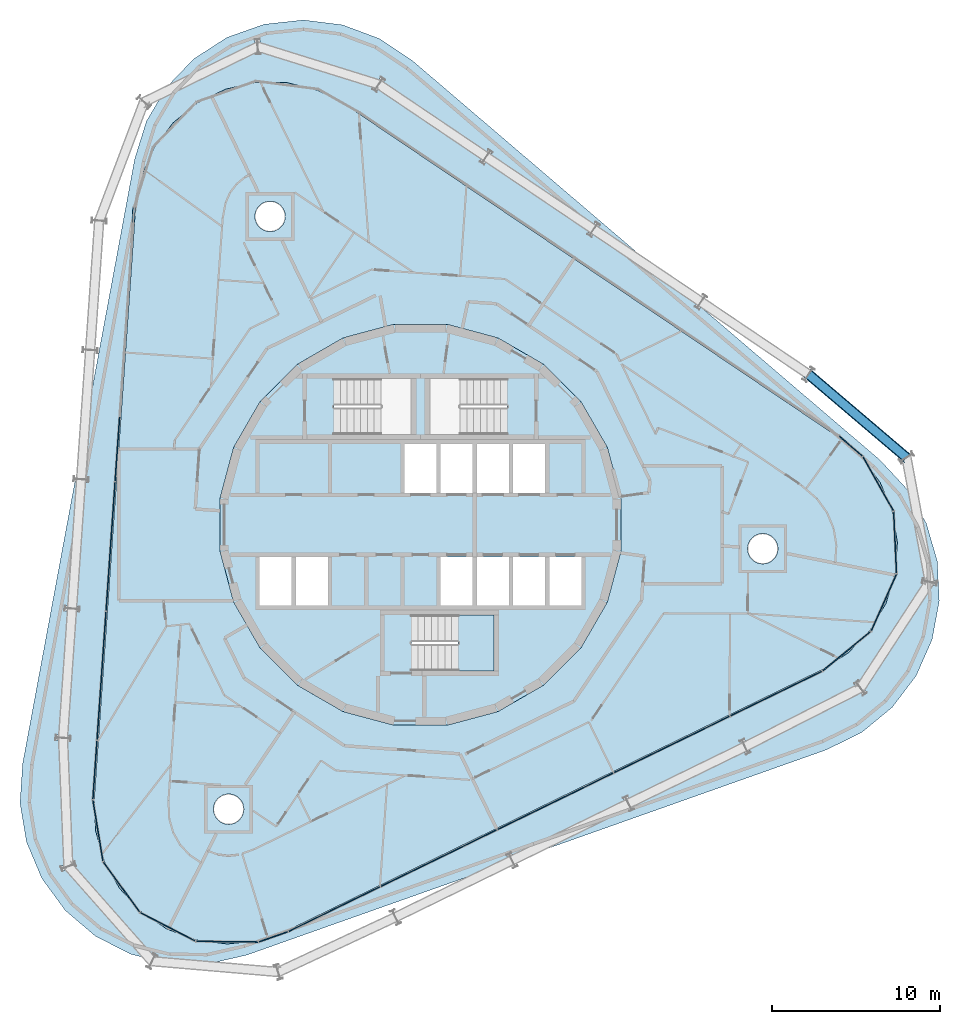
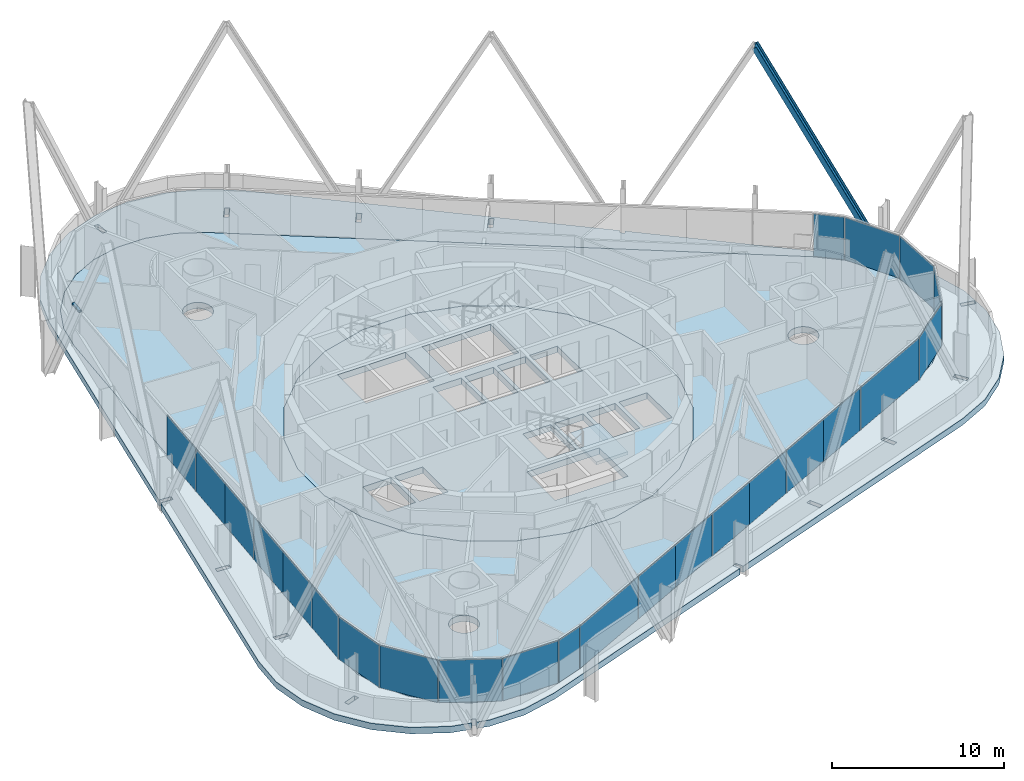
# One storey, part 10 of 18: 24 plates, 4 slabs, 2 members, 6 elements without a shape of their own.
"""IFC4 building model written with IfcOpenShell, lengths in metres."""

from ifc_helpers import new_model, si_unit, direction, frame, origin, origin_2d, place, context, subcontext, project, spatial, polyline, rectangle, i_section, outline, extrude, material, layer, layer_set, material_profile, profile_set, type_object, element, aggregate, save


model = new_model("IFC4")

# Units and contexts
model_context = context("Model", 3, precision=1e-05, world=origin(), true_north=direction((0.0, 1.0)))
body_context = subcontext(model_context, "Body", "Model", "MODEL_VIEW")
ifc_project = project(units=[si_unit("LENGTHUNIT", "METRE"), si_unit("AREAUNIT", "SQUARE_METRE"), si_unit("VOLUMEUNIT", "CUBIC_METRE"), si_unit("PLANEANGLEUNIT", "RADIAN"), si_unit("MASSUNIT", "GRAM", prefix="KILO")], contexts=[model_context])

# Site, building, storey
site_placement = place(None, origin())
site = spatial("IfcSite", under=ifc_project, at=site_placement, CompositionType="ELEMENT")
building_placement = place(site_placement, origin())
building = spatial("IfcBuilding", under=site, at=building_placement, Name="Spindle Arch Residences", CompositionType="ELEMENT")
storey_placement = place(building_placement, frame((0.0, 0.0, 188.39990234375)))
storey = spatial("IfcBuildingStorey", under=building, at=storey_placement, Name="L47", CompositionType="ELEMENT", Elevation=188.39990234375)

# Curtain wall, member
ifc_material_1 = material(Name="Aluminium bronze unitised frame with tinted glass", Category="aluminium")
ifc_layer_1 = layer(ifc_material_1, 0.159912109375)
ifc_layer_set_1 = layer_set([ifc_layer_1], Name="CW-D corner wall on the fillet arcs")
curtain_wall_type_1 = type_object("IfcCurtainWallType", Name="CW-D corner wall on the fillet arcs", PredefinedType="NOTDEFINED", material=ifc_layer_set_1)
curtain_wall_1_placement = place(storey_placement, origin())
curtain_wall_1 = element("IfcCurtainWall", 1, at=curtain_wall_1_placement, inside=storey, type_object=curtain_wall_type_1, Name="CW-D L47 run 3", PredefinedType="NOTDEFINED")
ifc_material_2 = material(Name="Aluminium bronze anodised transom", Category="aluminium")
ifc_material_profile_1 = material_profile(ifc_material_2, rectangle(XDim=0.159912109375, YDim=0.1201171875, at=origin_2d()), Name="TR 120x160")
ifc_profile_set_1 = profile_set([ifc_material_profile_1], Name="Aluminium bronze anodised transom")
member_type_1 = type_object("IfcMemberType", Name="Bronze transom 120x160", PredefinedType="USERDEFINED", material=ifc_profile_set_1)
member_1_placement = place(storey_placement, frame((-16.98828125, 18.83447265625, 3.06005859375), z_axis=(-0.069692035463, -0.997568554132, 0.0), x_axis=(0.997568554132, -0.069692035463, 0.0)))
member_1 = element("IfcMember", 2, at=member_1_placement, type_object=member_type_1, Name="CW-D transom 05", ObjectType="TRANSOM", PredefinedType="USERDEFINED", context=body_context, shape_type="SweptSolid", body=[
    extrude(rectangle(XDim=0.159912109375, YDim=0.1201171875, at=origin_2d()), origin(), (0.0, 0.0, 1.0), 0.90380859375),
])
aggregate(curtain_wall_1, [member_1])

# Member
ifc_material_3 = material(Name="Steel S460ML, intumescent coating R 240", Category="steel")
ifc_material_profile_2 = material_profile(ifc_material_3, i_section(OverallWidth=0.304931640625, OverallDepth=0.6201171875, WebThickness=0.02099609375, FlangeThickness=0.0400390625, FilletRadius=0.027099609375, at=origin_2d()), Name="HEM 600")
ifc_profile_set_2 = profile_set([ifc_material_profile_2], Name="Steel S460ML, intumescent coating R 240")
member_type_2 = type_object("IfcMemberType", Name="Diagrid diagonal HEM 600", PredefinedType="BRACE", material=ifc_profile_set_2)
member_2_placement = place(storey_placement, frame((28.84228515625, 3.9873046875, -0.699951171875), z_axis=(-0.362914976942, 0.308618087631, 0.879231252571), x_axis=(0.669793014617, -0.56958310462, 0.476395218807)))
element("IfcMember", 3, at=member_2_placement, inside=storey, type_object=member_type_2, Name="Diagrid diagonal 5.1.5", PredefinedType="BRACE", context=body_context, shape_type="SweptSolid", body=[
    extrude(i_section(OverallWidth=0.304931640625, OverallDepth=0.6201171875, WebThickness=0.02099609375, FlangeThickness=0.0400390625, FilletRadius=0.027099609375, at=origin_2d()), origin(), (0.0, 0.0, 1.0), 16.002685546875),
])

# Slabs
ifc_material_4 = material(Name="Concrete C40/50", Category="concrete")
ifc_layer_2 = layer(ifc_material_4, 0.449951171875)
ifc_layer_set_2 = layer_set([ifc_layer_2], Name="Compartment floor slab 450")
slab_type_1 = type_object("IfcSlabType", Name="Compartment floor slab 450", PredefinedType="FLOOR", material=ifc_layer_set_2)
slab_1_placement = place(storey_placement, frame((0.0, 0.0, -0.449951171875)))
element("IfcSlab", 4, at=slab_1_placement, inside=storey, type_object=slab_type_1, Name="Floor slab L47", PredefinedType="FLOOR", context=body_context, shape_type="SweptSolid", body=[
    extrude(outline(polyline([(-9.6318359375, -24.685791015625), (-11.47900390625, -24.8798828125), (-13.3212890625, -24.642822265625), (-15.059326171875, -23.9873046875), (-16.599365234375, -22.948486328125), (-17.858154296875, -21.582763671875), (-18.76806640625, -19.96337890625), (-19.280029296875, -18.177978515625), (-19.366455078125, -16.322509765625), (-16.906494140625, 18.85888671875), (-16.5625, 20.684326171875), (-15.80712890625, 22.381103515625), (-14.6806640625, 23.858154296875), (-13.243896484375, 25.035400390625), (-11.574462890625, 25.849609375), (-9.76220703125, 26.257080078125), (-7.90478515625, 26.2353515625), (-6.1025390625, 25.785888671875), (-4.452392578125, 24.93310546875), (24.785400390625, 5.2119140625), (26.1943359375, 4.00146484375), (27.2861328125, 2.498779296875), (28.001953125, 0.784912109375), (28.30322265625, -1.048095703125), (28.173583984375, -2.901123046875), (27.620361328125, -4.67431640625), (26.6728515625, -6.27197265625), (25.382568359375, -7.608154296875), (23.81884765625, -8.610595703125), (7.969970703125, -16.3408203125), (-7.87890625, -24.07080078125), (-9.6318359375, -24.685791015625)]), holes=[polyline([(7.30517578125, -9.520263671875), (9.520263671875, -7.30517578125), (11.086669921875, -4.59228515625), (11.897216796875, -1.56640625), (11.897216796875, 1.56640625), (11.086669921875, 4.59228515625), (9.520263671875, 7.30517578125), (7.30517578125, 9.520263671875), (4.59228515625, 11.086669921875), (1.56640625, 11.897216796875), (-1.56640625, 11.897216796875), (-4.59228515625, 11.086669921875), (-7.30517578125, 9.520263671875), (-9.520263671875, 7.30517578125), (-11.086669921875, 4.59228515625), (-11.897216796875, 1.56640625), (-11.897216796875, -1.56640625), (-11.086669921875, -4.59228515625), (-9.520263671875, -7.30517578125), (-7.30517578125, -9.520263671875), (-4.59228515625, -11.086669921875), (-1.56640625, -11.897216796875), (1.56640625, -11.897216796875), (4.59228515625, -11.086669921875), (7.30517578125, -9.520263671875)]), polyline([(-10.6376953125, -17.380615234375), (-10.554443359375, -17.224853515625), (-10.50341796875, -17.05615234375), (-10.486083984375, -16.880615234375), (-10.50341796875, -16.704833984375), (-10.554443359375, -16.5361328125), (-10.6376953125, -16.380615234375), (-10.74951171875, -16.244140625), (-10.885986328125, -16.132080078125), (-11.04150390625, -16.049072265625), (-11.21044921875, -15.997802734375), (-11.385986328125, -15.98046875), (-11.5615234375, -15.997802734375), (-11.73046875, -16.049072265625), (-11.885986328125, -16.132080078125), (-12.0224609375, -16.244140625), (-12.13427734375, -16.380615234375), (-12.217529296875, -16.5361328125), (-12.268798828125, -16.704833984375), (-12.285888671875, -16.880615234375), (-12.268798828125, -17.05615234375), (-12.217529296875, -17.224853515625), (-12.13427734375, -17.380615234375), (-12.0224609375, -17.516845703125), (-11.885986328125, -17.62890625), (-11.73046875, -17.7119140625), (-11.5615234375, -17.76318359375), (-11.385986328125, -17.780517578125), (-11.21044921875, -17.76318359375), (-11.04150390625, -17.7119140625), (-10.885986328125, -17.62890625), (-10.74951171875, -17.516845703125), (-10.6376953125, -17.380615234375)]), polyline([(-8.177490234375, 17.80078125), (-8.094482421875, 17.956298828125), (-8.043212890625, 18.125244140625), (-8.02587890625, 18.30078125), (-8.043212890625, 18.476318359375), (-8.094482421875, 18.645263671875), (-8.177490234375, 18.80078125), (-8.28955078125, 18.937255859375), (-8.42578125, 19.049072265625), (-8.58154296875, 19.13232421875), (-8.750244140625, 19.18359375), (-8.92578125, 19.20068359375), (-9.1015625, 19.18359375), (-9.270263671875, 19.13232421875), (-9.42578125, 19.049072265625), (-9.562255859375, 18.937255859375), (-9.67431640625, 18.80078125), (-9.75732421875, 18.645263671875), (-9.80859375, 18.476318359375), (-9.825927734375, 18.30078125), (-9.80859375, 18.125244140625), (-9.75732421875, 17.956298828125), (-9.67431640625, 17.80078125), (-9.562255859375, 17.664306640625), (-9.42578125, 17.552490234375), (-9.270263671875, 17.46923828125), (-9.1015625, 17.418212890625), (-8.92578125, 17.40087890625), (-8.750244140625, 17.418212890625), (-8.58154296875, 17.46923828125), (-8.42578125, 17.552490234375), (-8.28955078125, 17.664306640625), (-8.177490234375, 17.80078125)]), polyline([(20.9482421875, -2.056640625), (21.060302734375, -1.92041015625), (21.143310546875, -1.7646484375), (21.194580078125, -1.595947265625), (21.2119140625, -1.42041015625), (21.194580078125, -1.24462890625), (21.143310546875, -1.075927734375), (21.060302734375, -0.92041015625), (20.9482421875, -0.783935546875), (20.81201171875, -0.672119140625), (20.65625, -0.5888671875), (20.487548828125, -0.53759765625), (20.31201171875, -0.520263671875), (20.13623046875, -0.53759765625), (19.967529296875, -0.5888671875), (19.81201171875, -0.672119140625), (19.675537109375, -0.783935546875), (19.563720703125, -0.92041015625), (19.48046875, -1.075927734375), (19.42919921875, -1.24462890625), (19.411865234375, -1.42041015625), (19.42919921875, -1.595947265625), (19.48046875, -1.7646484375), (19.563720703125, -1.92041015625), (19.675537109375, -2.056640625), (19.81201171875, -2.168701171875), (19.967529296875, -2.251708984375), (20.13623046875, -2.302978515625), (20.31201171875, -2.3203125), (20.487548828125, -2.302978515625), (20.65625, -2.251708984375), (20.81201171875, -2.168701171875), (20.9482421875, -2.056640625)])]), origin(), (0.0, 0.0, 1.0), 0.449951171875),
])
ifc_material_5 = material(Name="Concrete C50/60", Category="concrete")
ifc_layer_3 = layer(ifc_material_5, 0.449951171875)
ifc_layer_set_3 = layer_set([ifc_layer_3], Name="Core floor slab 450")
slab_type_2 = type_object("IfcSlabType", Name="Core floor slab 450", PredefinedType="FLOOR", material=ifc_layer_set_3)
slab_2_placement = place(storey_placement, frame((0.0, 0.0, -0.449951171875)))
element("IfcSlab", 5, at=slab_2_placement, inside=storey, type_object=slab_type_2, Name="Core floor L47", PredefinedType="FLOOR", context=body_context, shape_type="SweptSolid", body=[
    extrude(outline(polyline([(1.56640625, -11.897216796875), (4.59228515625, -11.086669921875), (7.30517578125, -9.520263671875), (9.520263671875, -7.30517578125), (11.086669921875, -4.59228515625), (11.897216796875, -1.56640625), (11.897216796875, 1.56640625), (11.086669921875, 4.59228515625), (9.520263671875, 7.30517578125), (7.30517578125, 9.520263671875), (4.59228515625, 11.086669921875), (1.56640625, 11.897216796875), (-1.56640625, 11.897216796875), (-4.59228515625, 11.086669921875), (-7.30517578125, 9.520263671875), (-9.520263671875, 7.30517578125), (-11.086669921875, 4.59228515625), (-11.897216796875, 1.56640625), (-11.897216796875, -1.56640625), (-11.086669921875, -4.59228515625), (-9.520263671875, -7.30517578125), (-7.30517578125, -9.520263671875), (-4.59228515625, -11.086669921875), (-1.56640625, -11.897216796875), (1.56640625, -11.897216796875)]), holes=[polyline([(-0.949951171875, 1.89990234375), (0.949951171875, 1.89990234375), (0.949951171875, 4.800048828125), (-0.949951171875, 4.800048828125), (-0.949951171875, 1.89990234375)]), polyline([(1.199951171875, 1.89990234375), (3.10009765625, 1.89990234375), (3.10009765625, 4.800048828125), (1.199951171875, 4.800048828125), (1.199951171875, 1.89990234375)]), polyline([(3.35009765625, 1.89990234375), (5.25, 1.89990234375), (5.25, 4.800048828125), (3.35009765625, 4.800048828125), (3.35009765625, 1.89990234375)]), polyline([(5.5, 1.89990234375), (7.39990234375, 1.89990234375), (7.39990234375, 4.800048828125), (5.5, 4.800048828125), (5.5, 1.89990234375)]), polyline([(-9.550048828125, -4.800048828125), (-7.64990234375, -4.800048828125), (-7.64990234375, -1.89990234375), (-9.550048828125, -1.89990234375), (-9.550048828125, -4.800048828125)]), polyline([(-7.39990234375, -4.800048828125), (-5.5, -4.800048828125), (-5.5, -1.89990234375), (-7.39990234375, -1.89990234375), (-7.39990234375, -4.800048828125)]), polyline([(1.199951171875, -4.800048828125), (3.10009765625, -4.800048828125), (3.10009765625, -1.89990234375), (1.199951171875, -1.89990234375), (1.199951171875, -4.800048828125)]), polyline([(3.35009765625, -4.800048828125), (5.25, -4.800048828125), (5.25, -1.89990234375), (3.35009765625, -1.89990234375), (3.35009765625, -4.800048828125)]), polyline([(5.5, -4.800048828125), (7.39990234375, -4.800048828125), (7.39990234375, -1.89990234375), (5.5, -1.89990234375), (5.5, -4.800048828125)]), polyline([(7.64990234375, -4.800048828125), (9.550048828125, -4.800048828125), (9.550048828125, -1.89990234375), (7.64990234375, -1.89990234375), (7.64990234375, -4.800048828125)]), polyline([(5.1298828125, 8.669921875), (0.550048828125, 8.669921875), (0.550048828125, 5.35009765625), (5.1298828125, 5.35009765625), (5.1298828125, 8.669921875)]), polyline([(-5.1298828125, 5.35009765625), (-0.550048828125, 5.35009765625), (-0.550048828125, 8.669921875), (-5.1298828125, 8.669921875), (-5.1298828125, 5.35009765625)]), polyline([(-0.530029296875, -8.669921875), (4.35009765625, -8.669921875), (4.35009765625, -5.35009765625), (-0.530029296875, -5.35009765625), (-0.530029296875, -8.669921875)])]), origin(), (0.0, 0.0, 1.0), 0.449951171875),
])

# Stair, slab
ifc_material_6 = material(Name="Concrete C50/60", Category="concrete")
stair_type = type_object("IfcStairType", Name="Exit stair 16 risers", PredefinedType="HALF_TURN_STAIR", material=ifc_material_6)
stair_placement = place(storey_placement, origin())
stair = element("IfcStair", 6, at=stair_placement, inside=storey, type_object=stair_type, Name="L47 Exit stair ST3", PredefinedType="HALF_TURN_STAIR")
ifc_material_7 = material(Name="Concrete C50/60", Category="concrete")
ifc_layer_4 = layer(ifc_material_7, 0.219970703125)
ifc_layer_set_4 = layer_set([ifc_layer_4], Name="Exit stair landing 220")
slab_type_3 = type_object("IfcSlabType", Name="Exit stair landing 220", PredefinedType="LANDING", material=ifc_layer_set_4)
slab_3_placement = place(storey_placement, frame((0.0, 0.0, 1.530029296875)))
slab_3 = element("IfcSlab", 7, at=slab_3_placement, type_object=slab_type_3, Name="ST3 landing 1", PredefinedType="LANDING", context=body_context, shape_type="SweptSolid", body=[
    extrude(outline(polyline([(2.22998046875, -8.669921875), (4.35009765625, -8.669921875), (4.35009765625, -5.35009765625), (2.22998046875, -5.35009765625), (2.22998046875, -8.669921875)])), origin(), (0.0, 0.0, 1.0), 0.219970703125),
])
aggregate(stair, [slab_3])

# Slab
ifc_material_8 = material(Name="Concrete C40/50", Category="concrete")
ifc_layer_5 = layer(ifc_material_8, 0.449951171875)
ifc_layer_set_5 = layer_set([ifc_layer_5], Name="Terrace slab 450")
slab_type_4 = type_object("IfcSlabType", Name="Terrace slab 450", PredefinedType="FLOOR", material=ifc_layer_set_5)
slab_4_placement = place(storey_placement, frame((0.0, 0.0, -0.449951171875)))
element("IfcSlab", 8, at=slab_4_placement, inside=storey, type_object=slab_type_4, Name="Terrace slab L46", PredefinedType="FLOOR", context=body_context, shape_type="SweptSolid", body=[
    extrude(outline(polyline([(-12.59619140625, -26.060302734375), (-14.941162109375, -26.039794921875), (-15.731689453125, -25.844970703125), (-15.591796875, -25.56689453125), (-15.85986328125, -25.43212890625), (-16.03076171875, -25.771484375), (-17.21826171875, -25.47900390625), (-19.3046875, -24.408203125), (-21.087890625, -22.88525390625), (-22.4716796875, -20.9921875), (-23.3818359375, -18.830810546875), (-23.768798828125, -16.517822265625), (-23.612060546875, -14.177978515625), (-20.50830078125, 2.569091796875), (-19.70361328125, 2.512939453125), (-19.6826171875, 2.81201171875), (-20.453125, 2.865966796875), (-16.962890625, 21.6982421875), (-16.270751953125, 23.938720703125), (-15.080322265625, 25.959228515625), (-13.456298828125, 27.65087890625), (-11.48583984375, 28.922607421875), (-9.275390625, 29.705322265625), (-6.94384765625, 29.957275390625), (-4.616943359375, 29.66455078125), (-2.42041015625, 28.843505859375), (-0.472412109375, 27.53759765625), (16.404541015625, 13.123291015625), (16.2802734375, 12.939208984375), (16.52880859375, 12.771484375), (16.634033203125, 12.92724609375), (27.272705078125, 3.841064453125), (28.866943359375, 2.121337890625), (30.021728515625, 0.080322265625), (30.674560546875, -2.172119140625), (30.79052734375, -4.51416015625), (30.36328125, -6.820068359375), (29.41552734375, -8.965087890625), (27.998779296875, -10.833740234375), (26.189208984375, -12.325439453125), (24.084716796875, -13.359619140625), (6.887451171875, -19.449462890625), (5.59619140625, -19.90673828125), (5.37060546875, -19.4443359375), (5.100830078125, -19.575927734375), (5.311279296875, -20.007568359375), (-10.309814453125, -25.539306640625), (-12.59619140625, -26.060302734375)]), holes=[polyline([(25.382568359375, -7.608154296875), (26.6728515625, -6.27197265625), (27.620361328125, -4.67431640625), (28.173583984375, -2.901123046875), (28.30322265625, -1.048095703125), (28.001953125, 0.784912109375), (27.2861328125, 2.498779296875), (26.1943359375, 4.00146484375), (24.785400390625, 5.2119140625), (-4.452392578125, 24.93310546875), (-6.1025390625, 25.785888671875), (-7.90478515625, 26.2353515625), (-9.76220703125, 26.257080078125), (-11.574462890625, 25.849609375), (-13.243896484375, 25.035400390625), (-14.6806640625, 23.858154296875), (-15.80712890625, 22.381103515625), (-16.5625, 20.684326171875), (-16.906494140625, 18.85888671875), (-19.366455078125, -16.322509765625), (-19.280029296875, -18.177978515625), (-18.76806640625, -19.96337890625), (-17.858154296875, -21.582763671875), (-16.599365234375, -22.948486328125), (-15.059326171875, -23.9873046875), (-13.3212890625, -24.642822265625), (-11.47900390625, -24.8798828125), (-9.6318359375, -24.685791015625), (-7.87890625, -24.07080078125), (7.969970703125, -16.3408203125), (23.81884765625, -8.610595703125), (25.382568359375, -7.608154296875)]), polyline([(-21.373291015625, -20.283203125), (-21.272705078125, -20.56591796875), (-20.4248046875, -20.263427734375), (-20.525634765625, -19.980712890625), (-21.373291015625, -20.283203125)]), polyline([(-20.755859375, -12.537841796875), (-21.65380859375, -12.47509765625), (-21.6748046875, -12.7744140625), (-20.77685546875, -12.837158203125), (-20.755859375, -12.537841796875)]), polyline([(-20.21923828125, -4.86279296875), (-21.116943359375, -4.800048828125), (-21.137939453125, -5.099365234375), (-20.240234375, -5.162109375), (-20.21923828125, -4.86279296875)]), polyline([(-2.606201171875, 25.67822265625), (-2.10302734375, 26.42431640625), (-2.351806640625, 26.592041015625), (-2.85498046875, 25.845947265625), (-2.606201171875, 25.67822265625)]), polyline([(-9.479248046875, 27.93603515625), (-9.544921875, 28.833740234375), (-9.843994140625, 28.81201171875), (-9.7783203125, 27.914306640625), (-9.479248046875, 27.93603515625)]), polyline([(12.410400390625, -17.01220703125), (12.68017578125, -16.880615234375), (12.28564453125, -16.07177734375), (12.015869140625, -16.203125), (12.410400390625, -17.01220703125)]), polyline([(18.930908203125, -12.83056640625), (19.325439453125, -13.639404296875), (19.59521484375, -13.5078125), (19.20068359375, -12.698974609375), (18.930908203125, -12.83056640625)]), polyline([(25.7353515625, -9.403564453125), (26.252685546875, -10.14013671875), (26.498046875, -9.967529296875), (25.980712890625, -9.231201171875), (25.7353515625, -9.403564453125)]), polyline([(30.62890625, -3.6298828125), (30.6875, -3.335693359375), (29.804931640625, -3.159912109375), (29.746337890625, -3.4541015625), (30.62890625, -3.6298828125)]), polyline([(10.150390625, 17.07373046875), (10.65380859375, 17.81982421875), (10.405029296875, 17.987548828125), (9.90185546875, 17.241455078125), (10.150390625, 17.07373046875)]), polyline([(3.772216796875, 21.3759765625), (4.275390625, 22.1220703125), (4.026611328125, 22.289794921875), (3.5234375, 21.543701171875), (3.772216796875, 21.3759765625)])]), origin(), (0.0, 0.0, 1.0), 0.449951171875),
])

# Curtain wall, plates
curtain_wall_2_placement = place(storey_placement, origin())
curtain_wall_2 = element("IfcCurtainWall", 9, at=curtain_wall_2_placement, inside=storey, type_object=curtain_wall_type_1, Name="CW-D L47 run 1", PredefinedType="NOTDEFINED")
ifc_material_9 = material(Name="Tinted double glazing over aluminium faced non-combustible spandrel zone (K0)", Category="aluminium")
ifc_layer_6 = layer(ifc_material_9, 0.06005859375)
ifc_layer_set_6 = layer_set([ifc_layer_6], Name="Unitised glass panel with E 60 spandrel zone")
plate_type = type_object("IfcPlateType", Name="Unitised glass panel with E 60 spandrel zone", PredefinedType="CURTAIN_PANEL", material=ifc_layer_set_6)
plate_1_placement = place(storey_placement, frame((21.11572265625, -10.01806640625, -0.44970703125), z_axis=(0.0, 0.0, 1.0), x_axis=(0.898794046299, 0.438371146789, 0.0)))
plate_1 = element("IfcPlate", 10, at=plate_1_placement, type_object=plate_type, Name="CW-D unit 00", PredefinedType="CURTAIN_PANEL", context=body_context, shape_type="SweptSolid", body=[
    extrude(rectangle(XDim=6.032958984375, YDim=0.06005859375, at=origin_2d()), origin(), (0.0, 0.0, 1.0), 3.449951171875),
])
plate_2_placement = place(storey_placement, frame((25.295166015625, -7.50146484375, -0.44970703125), z_axis=(0.0, 0.0, 1.0), x_axis=(0.773471595747, 0.633830963722, 0.0)))
plate_2 = element("IfcPlate", 11, at=plate_2_placement, type_object=plate_type, Name="CW-D unit 01", PredefinedType="CURTAIN_PANEL", context=body_context, shape_type="SweptSolid", body=[
    extrude(rectangle(XDim=3.666748046875, YDim=0.06005859375, at=origin_2d()), origin(), (0.0, 0.0, 1.0), 3.449951171875),
])
plate_3_placement = place(storey_placement, frame((27.494384765625, -4.6181640625, -0.44970703125), z_axis=(0.0, 0.0, 1.0), x_axis=(0.406736642422, 0.913545457934, 0.0)))
plate_3 = element("IfcPlate", 12, at=plate_3_placement, type_object=plate_type, Name="CW-D unit 02", PredefinedType="CURTAIN_PANEL", context=body_context, shape_type="SweptSolid", body=[
    extrude(rectangle(XDim=3.666748046875, YDim=0.06005859375, at=origin_2d()), origin(), (0.0, 0.0, 1.0), 3.449951171875),
])
plate_4_placement = place(storey_placement, frame((28.16552734375, -1.054443359375, -0.44970703125), z_axis=(0.0, 0.0, 1.0), x_axis=(-0.046525313877, 0.99891711126, 0.0)))
plate_4 = element("IfcPlate", 13, at=plate_4_placement, type_object=plate_type, Name="CW-D unit 03", PredefinedType="CURTAIN_PANEL", context=body_context, shape_type="SweptSolid", body=[
    extrude(rectangle(XDim=3.666748046875, YDim=0.06005859375, at=origin_2d()), origin(), (0.0, 0.0, 1.0), 3.449951171875),
])
plate_5_placement = place(storey_placement, frame((27.166015625, 2.43115234375, -0.44970703125), z_axis=(0.0, 0.0, 1.0), x_axis=(-0.489889716377, 0.871784414743, 0.0)))
plate_5 = element("IfcPlate", 14, at=plate_5_placement, type_object=plate_type, Name="CW-D unit 04", PredefinedType="CURTAIN_PANEL", context=body_context, shape_type="SweptSolid", body=[
    extrude(rectangle(XDim=3.666748046875, YDim=0.06005859375, at=origin_2d()), origin(), (0.0, 0.0, 1.0), 3.449951171875),
])
plate_6_placement = place(storey_placement, frame((25.541748046875, 4.6669921875, -0.44970703125), z_axis=(0.0, 0.0, 1.0), x_axis=(-0.758513582867, 0.651657229382, 0.0)))
plate_6 = element("IfcPlate", 15, at=plate_6_placement, type_object=plate_type, Name="CW-D unit 05", PredefinedType="CURTAIN_PANEL", context=body_context, shape_type="SweptSolid", body=[
    extrude(rectangle(XDim=1.816162109375, YDim=0.06005859375, at=origin_2d()), origin(), (0.0, 0.0, 1.0), 3.449951171875),
])
aggregate(curtain_wall_2, [plate_1, plate_2, plate_3, plate_4, plate_5, plate_6])

ifc_material_10 = material(Name="Aluminium bronze unitised frame with tinted glass", Category="aluminium")
ifc_layer_7 = layer(ifc_material_10, 0.159912109375)
ifc_layer_set_7 = layer_set([ifc_layer_7], Name="CW-C typical residential unitised wall")
curtain_wall_type_2 = type_object("IfcCurtainWallType", Name="CW-C typical residential unitised wall", PredefinedType="NOTDEFINED", material=ifc_layer_set_7)
curtain_wall_3_placement = place(storey_placement, origin())
curtain_wall_3 = element("IfcCurtainWall", 16, at=curtain_wall_3_placement, inside=storey, type_object=curtain_wall_type_2, Name="CW-C L47 run 4", PredefinedType="NOTDEFINED")
plate_7_placement = place(storey_placement, frame((-17.99169921875, 4.486572265625, -0.44970703125), z_axis=(0.0, 0.0, 1.0), x_axis=(-0.069756473744, -0.99756405026, 0.0)))
plate_7 = element("IfcPlate", 17, at=plate_7_placement, type_object=plate_type, Name="CW-C unit 13B", PredefinedType="CURTAIN_PANEL", context=body_context, shape_type="SweptSolid", body=[
    extrude(rectangle(XDim=3.81689453125, YDim=0.06005859375, at=origin_2d()), origin(), (0.0, 0.0, 1.0), 3.449951171875),
])
plate_8_placement = place(storey_placement, frame((-18.261962890625, 0.619140625, -0.44970703125), z_axis=(0.0, 0.0, 1.0), x_axis=(-0.069756473744, -0.99756405026, 0.0)))
plate_8 = element("IfcPlate", 18, at=plate_8_placement, type_object=plate_type, Name="CW-C unit 14A", PredefinedType="CURTAIN_PANEL", context=body_context, shape_type="SweptSolid", body=[
    extrude(rectangle(XDim=3.81689453125, YDim=0.06005859375, at=origin_2d()), origin(), (0.0, 0.0, 1.0), 3.449951171875),
])
plate_9_placement = place(storey_placement, frame((-18.5283203125, -3.188232421875, -0.44970703125), z_axis=(0.0, 0.0, 1.0), x_axis=(-0.069756473744, -0.99756405026, 0.0)))
plate_9 = element("IfcPlate", 19, at=plate_9_placement, type_object=plate_type, Name="CW-C unit 14B", PredefinedType="CURTAIN_PANEL", context=body_context, shape_type="SweptSolid", body=[
    extrude(rectangle(XDim=3.81689453125, YDim=0.06005859375, at=origin_2d()), origin(), (0.0, 0.0, 1.0), 3.449951171875),
])
plate_10_placement = place(storey_placement, frame((-18.798828125, -7.0556640625, -0.44970703125), z_axis=(0.0, 0.0, 1.0), x_axis=(-0.069756473744, -0.99756405026, 0.0)))
plate_10 = element("IfcPlate", 20, at=plate_10_placement, type_object=plate_type, Name="CW-C unit 15A", PredefinedType="CURTAIN_PANEL", context=body_context, shape_type="SweptSolid", body=[
    extrude(rectangle(XDim=3.81689453125, YDim=0.06005859375, at=origin_2d()), origin(), (0.0, 0.0, 1.0), 3.449951171875),
])
plate_11_placement = place(storey_placement, frame((-19.06494140625, -10.86328125, -0.44970703125), z_axis=(0.0, 0.0, 1.0), x_axis=(-0.069756473744, -0.99756405026, 0.0)))
plate_11 = element("IfcPlate", 21, at=plate_11_placement, type_object=plate_type, Name="CW-C unit 15B", PredefinedType="CURTAIN_PANEL", context=body_context, shape_type="SweptSolid", body=[
    extrude(rectangle(XDim=3.81689453125, YDim=0.06005859375, at=origin_2d()), origin(), (0.0, 0.0, 1.0), 3.449951171875),
])
aggregate(curtain_wall_3, [plate_7, plate_8, plate_9, plate_10, plate_11])

curtain_wall_4_placement = place(storey_placement, origin())
curtain_wall_4 = element("IfcCurtainWall", 22, at=curtain_wall_4_placement, inside=storey, type_object=curtain_wall_type_1, Name="CW-D L47 run 5", PredefinedType="NOTDEFINED")
plate_12_placement = place(storey_placement, frame((-19.3232421875, -14.556884765625, -0.44970703125), z_axis=(0.0, 0.0, 1.0), x_axis=(-0.069756473744, -0.99756405026, 0.0)))
plate_12 = element("IfcPlate", 23, at=plate_12_placement, type_object=plate_type, Name="CW-D unit 00", PredefinedType="CURTAIN_PANEL", context=body_context, shape_type="SweptSolid", body=[
    extrude(rectangle(XDim=3.468505859375, YDim=0.06005859375, at=origin_2d()), origin(), (0.0, 0.0, 1.0), 3.449951171875),
])
plate_13_placement = place(storey_placement, frame((-19.14404296875, -18.155517578125, -0.44970703125), z_axis=(0.0, 0.0, 1.0), x_axis=(0.162177925821, -0.986761531666, 0.0)))
plate_13 = element("IfcPlate", 24, at=plate_13_placement, type_object=plate_type, Name="CW-D unit 01", PredefinedType="CURTAIN_PANEL", context=body_context, shape_type="SweptSolid", body=[
    extrude(rectangle(XDim=3.666748046875, YDim=0.06005859375, at=origin_2d()), origin(), (0.0, 0.0, 1.0), 3.449951171875),
])
plate_14_placement = place(storey_placement, frame((-17.74658203125, -21.501708984375, -0.44970703125), z_axis=(0.0, 0.0, 1.0), x_axis=(0.587785254679, -0.809016992641, 0.0)))
plate_14 = element("IfcPlate", 25, at=plate_14_placement, type_object=plate_type, Name="CW-D unit 02", PredefinedType="CURTAIN_PANEL", context=body_context, shape_type="SweptSolid", body=[
    extrude(rectangle(XDim=3.666748046875, YDim=0.06005859375, at=origin_2d()), origin(), (0.0, 0.0, 1.0), 3.449951171875),
])
plate_15_placement = place(storey_placement, frame((-14.99609375, -23.86474609375, -0.44970703125), z_axis=(0.0, 0.0, 1.0), x_axis=(0.88835025098, -0.459166453025, 0.0)))
plate_15 = element("IfcPlate", 26, at=plate_15_placement, type_object=plate_type, Name="CW-D unit 03", PredefinedType="CURTAIN_PANEL", context=body_context, shape_type="SweptSolid", body=[
    extrude(rectangle(XDim=3.666748046875, YDim=0.06005859375, at=origin_2d()), origin(), (0.0, 0.0, 1.0), 3.449951171875),
])
plate_16_placement = place(storey_placement, frame((-11.4775390625, -24.7421875, -0.44970703125), z_axis=(0.0, 0.0, 1.0), x_axis=(0.999932308032, -0.011635263346, 0.0)))
plate_16 = element("IfcPlate", 27, at=plate_16_placement, type_object=plate_type, Name="CW-D unit 04", PredefinedType="CURTAIN_PANEL", context=body_context, shape_type="SweptSolid", body=[
    extrude(rectangle(XDim=3.666748046875, YDim=0.06005859375, at=origin_2d()), origin(), (0.0, 0.0, 1.0), 3.449951171875),
])
plate_17_placement = place(storey_placement, frame((-8.72900390625, -24.453369140625, -0.44970703125), z_axis=(0.0, 0.0, 1.0), x_axis=(0.943608504957, 0.33106342198, 0.0)))
plate_17 = element("IfcPlate", 28, at=plate_17_placement, type_object=plate_type, Name="CW-D unit 05", PredefinedType="CURTAIN_PANEL", context=body_context, shape_type="SweptSolid", body=[
    extrude(rectangle(XDim=1.816162109375, YDim=0.06005859375, at=origin_2d()), origin(), (0.0, 0.0, 1.0), 3.449951171875),
])
plate_18_placement = place(storey_placement, frame((-5.105712890625, -22.80712890625, -0.44970703125), z_axis=(0.0, 0.0, 1.0), x_axis=(0.898794046299, 0.438371146789, 0.0)))
plate_18 = element("IfcPlate", 29, at=plate_18_placement, type_object=plate_type, Name="CW-D unit 06", PredefinedType="CURTAIN_PANEL", context=body_context, shape_type="SweptSolid", body=[
    extrude(rectangle(XDim=6.032958984375, YDim=0.06005859375, at=origin_2d()), origin(), (0.0, 0.0, 1.0), 3.449951171875),
])
aggregate(curtain_wall_4, [plate_12, plate_13, plate_14, plate_15, plate_16, plate_17, plate_18])

curtain_wall_5_placement = place(storey_placement, origin())
curtain_wall_5 = element("IfcCurtainWall", 30, at=curtain_wall_5_placement, inside=storey, type_object=curtain_wall_type_2, Name="CW-C L47 run 6", PredefinedType="NOTDEFINED")
plate_19_placement = place(storey_placement, frame((-0.625244140625, -20.6220703125, -0.44970703125), z_axis=(0.0, 0.0, 1.0), x_axis=(0.898794046299, 0.438371146789, 0.0)))
plate_19 = element("IfcPlate", 31, at=plate_19_placement, type_object=plate_type, Name="CW-C unit 20A", PredefinedType="CURTAIN_PANEL", context=body_context, shape_type="SweptSolid", body=[
    extrude(rectangle(XDim=3.81689453125, YDim=0.06005859375, at=origin_2d()), origin(), (0.0, 0.0, 1.0), 3.449951171875),
])
plate_20_placement = place(storey_placement, frame((2.80517578125, -18.94873046875, -0.44970703125), z_axis=(0.0, 0.0, 1.0), x_axis=(0.898794046299, 0.438371146789, 0.0)))
plate_20 = element("IfcPlate", 32, at=plate_20_placement, type_object=plate_type, Name="CW-C unit 20B", PredefinedType="CURTAIN_PANEL", context=body_context, shape_type="SweptSolid", body=[
    extrude(rectangle(XDim=3.81689453125, YDim=0.06005859375, at=origin_2d()), origin(), (0.0, 0.0, 1.0), 3.449951171875),
])
plate_21_placement = place(storey_placement, frame((6.289794921875, -17.249267578125, -0.44970703125), z_axis=(0.0, 0.0, 1.0), x_axis=(0.898794046299, 0.438371146789, 0.0)))
plate_21 = element("IfcPlate", 33, at=plate_21_placement, type_object=plate_type, Name="CW-C unit 21A", PredefinedType="CURTAIN_PANEL", context=body_context, shape_type="SweptSolid", body=[
    extrude(rectangle(XDim=3.81689453125, YDim=0.06005859375, at=origin_2d()), origin(), (0.0, 0.0, 1.0), 3.449951171875),
])
plate_22_placement = place(storey_placement, frame((9.72021484375, -15.576171875, -0.44970703125), z_axis=(0.0, 0.0, 1.0), x_axis=(0.898794046299, 0.438371146789, 0.0)))
plate_22 = element("IfcPlate", 34, at=plate_22_placement, type_object=plate_type, Name="CW-C unit 21B", PredefinedType="CURTAIN_PANEL", context=body_context, shape_type="SweptSolid", body=[
    extrude(rectangle(XDim=3.81689453125, YDim=0.06005859375, at=origin_2d()), origin(), (0.0, 0.0, 1.0), 3.449951171875),
])
plate_23_placement = place(storey_placement, frame((13.204833984375, -13.87646484375, -0.44970703125), z_axis=(0.0, 0.0, 1.0), x_axis=(0.898794046299, 0.438371146789, 0.0)))
plate_23 = element("IfcPlate", 35, at=plate_23_placement, type_object=plate_type, Name="CW-C unit 00A", PredefinedType="CURTAIN_PANEL", context=body_context, shape_type="SweptSolid", body=[
    extrude(rectangle(XDim=3.81689453125, YDim=0.06005859375, at=origin_2d()), origin(), (0.0, 0.0, 1.0), 3.449951171875),
])
plate_24_placement = place(storey_placement, frame((16.63525390625, -12.203369140625, -0.44970703125), z_axis=(0.0, 0.0, 1.0), x_axis=(0.898794046299, 0.438371146789, 0.0)))
plate_24 = element("IfcPlate", 36, at=plate_24_placement, type_object=plate_type, Name="CW-C unit 00B", PredefinedType="CURTAIN_PANEL", context=body_context, shape_type="SweptSolid", body=[
    extrude(rectangle(XDim=3.81689453125, YDim=0.06005859375, at=origin_2d()), origin(), (0.0, 0.0, 1.0), 3.449951171875),
])
aggregate(curtain_wall_5, [plate_19, plate_20, plate_21, plate_22, plate_23, plate_24])

save(model, "model.ifc")
